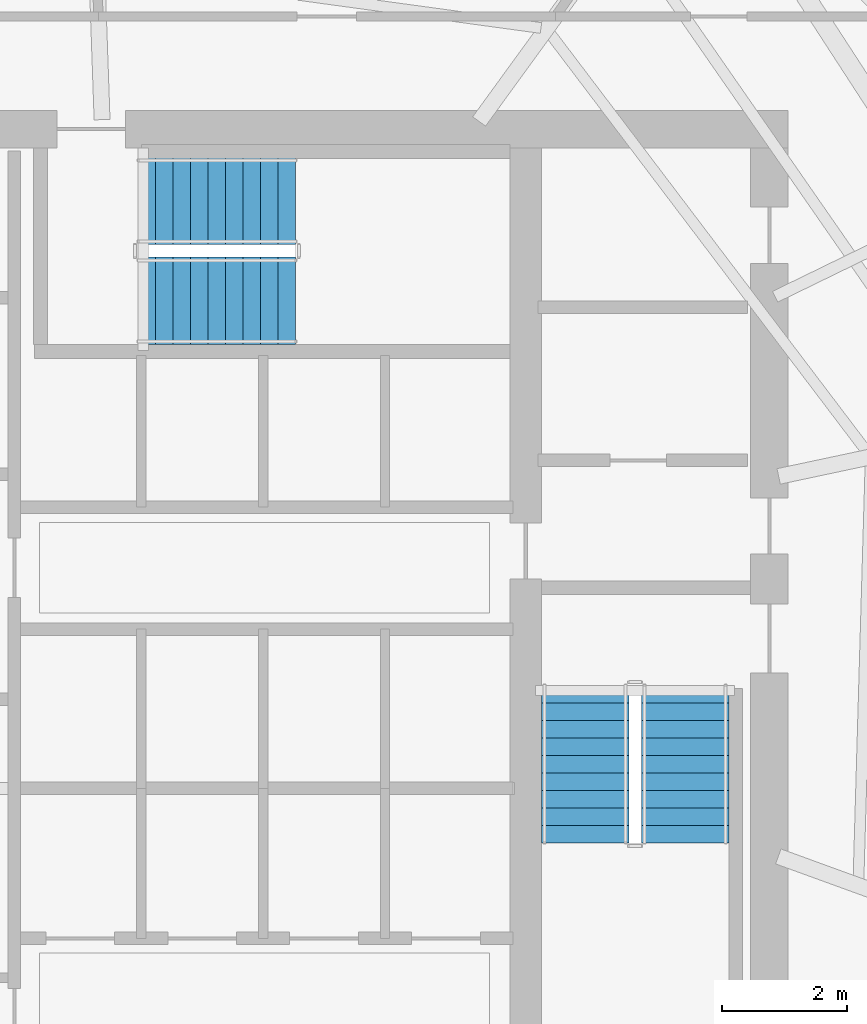
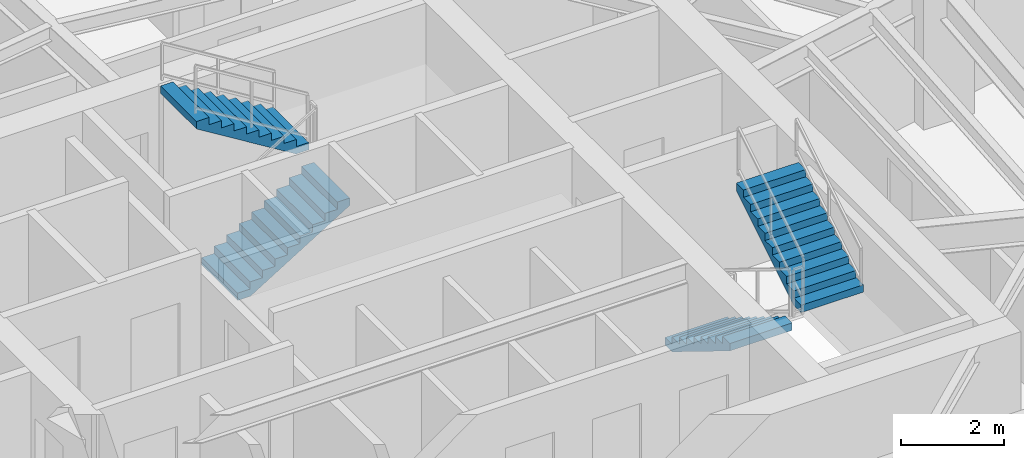
# One storey, part 27 of 30: 4 stair flights, 2 elements without a shape of their own.
"""IFC4 building model written with IfcOpenShell, lengths in metres."""

from ifc_helpers import new_model, si_unit, direction, frame, origin, place, context, subcontext, project, spatial, polyline, outline, extrude, material, type_object, element, aggregate, save


model = new_model("IFC4")

# Units and contexts
model_context = context("Model", 3, precision=1e-05, world=origin(), true_north=direction((0.0, 1.0)))
body_context = subcontext(model_context, "Body", "Model", "MODEL_VIEW")
ifc_project = project(units=[si_unit("LENGTHUNIT", "METRE"), si_unit("AREAUNIT", "SQUARE_METRE"), si_unit("VOLUMEUNIT", "CUBIC_METRE"), si_unit("PLANEANGLEUNIT", "RADIAN"), si_unit("MASSUNIT", "GRAM", prefix="KILO")], contexts=[model_context])

# Site, building, storey
site_placement = place(None, origin())
site = spatial("IfcSite", under=ifc_project, at=site_placement, CompositionType="ELEMENT")
building_placement = place(site_placement, origin())
building = spatial("IfcBuilding", under=site, at=building_placement, Name="Qarnah Convention Tower", CompositionType="ELEMENT")
storey_placement = place(building_placement, frame((0.0, 0.0, 86.699951171875)))
storey = spatial("IfcBuildingStorey", under=building, at=storey_placement, Name="L22", CompositionType="ELEMENT", Elevation=86.699951171875)

# Stair, stair flights
ifc_material = material(Name="Concrete C50/60", Category="concrete")
stair_type = type_object("IfcStairType", Name="STR-HTL", PredefinedType="HALF_TURN_STAIR", material=ifc_material)
stair_1_placement = place(storey_placement, origin())
stair_1 = element("IfcStair", 1, at=stair_1_placement, inside=storey, type_object=stair_type, Name="L22 Core exit stair ST-2", PredefinedType="HALF_TURN_STAIR")
stair_flight_type = type_object("IfcStairFlightType", Name="FLT-HTL", PredefinedType="STRAIGHT", material=ifc_material)
stair_flight_1_placement = place(storey_placement, frame((44.64990234375, 25.300048828125, 0.0), z_axis=(0.0, 0.0, 1.0), x_axis=(0.0, -1.0, 0.0)))
stair_flight_1 = element("IfcStairFlight", 2, at=stair_flight_1_placement, type_object=stair_flight_type, Name="ST-2 flight 1", NumberOfRisers=10, NumberOfTreads=9, PredefinedType="STRAIGHT", RiserHeight=0.1725, TreadLength=0.28, context=body_context, shape_type="SweptSolid", body=[
    extrude(outline(polyline([(0.0, 0.0), (0.0, 0.172607421875), (0.280029296875, 0.172607421875), (0.280029296875, 0.344970703125), (0.56005859375, 0.344970703125), (0.56005859375, 0.517578125), (0.840087890625, 0.517578125), (0.840087890625, 0.68994140625), (1.1201171875, 0.68994140625), (1.1201171875, 0.862548828125), (1.39990234375, 0.862548828125), (1.39990234375, 1.034912109375), (1.679931640625, 1.034912109375), (1.679931640625, 1.20751953125), (1.9599609375, 1.20751953125), (1.9599609375, 1.3798828125), (2.239990234375, 1.3798828125), (2.239990234375, 1.552490234375), (2.52001953125, 1.552490234375), (2.52001953125, 1.72509765625), (2.52001953125, 1.37646484375), (0.285888671875, 0.0), (0.0, 0.0)])), frame((0.0, 0.699951171875, 0.0), z_axis=(0.0, -1.0, 0.0), x_axis=(1.0, 0.0, 0.0)), (0.0, 0.0, 1.0), 1.39990234375),
])
stair_flight_2_placement = place(storey_placement, frame((46.25, 22.780029296875, 1.72509765625), z_axis=(0.0, 0.0, 1.0), x_axis=(0.0, 1.0, 0.0)))
stair_flight_2 = element("IfcStairFlight", 3, at=stair_flight_2_placement, type_object=stair_flight_type, Name="ST-2 flight 2", NumberOfRisers=10, NumberOfTreads=9, PredefinedType="STRAIGHT", RiserHeight=0.1725, TreadLength=0.28, context=body_context, shape_type="SweptSolid", body=[
    extrude(outline(polyline([(0.0, 0.0), (0.0, 0.172607421875), (0.280029296875, 0.172607421875), (0.280029296875, 0.344970703125), (0.56005859375, 0.344970703125), (0.56005859375, 0.517578125), (0.840087890625, 0.517578125), (0.840087890625, 0.68994140625), (1.1201171875, 0.68994140625), (1.1201171875, 0.862548828125), (1.39990234375, 0.862548828125), (1.39990234375, 1.034912109375), (1.679931640625, 1.034912109375), (1.679931640625, 1.20751953125), (1.9599609375, 1.20751953125), (1.9599609375, 1.3798828125), (2.239990234375, 1.3798828125), (2.239990234375, 1.552490234375), (2.52001953125, 1.552490234375), (2.52001953125, 1.72509765625), (2.52001953125, 1.37646484375), (0.285888671875, 0.0), (0.0, 0.0)])), frame((0.0, 0.699951171875, 0.0), z_axis=(0.0, -1.0, 0.0), x_axis=(1.0, 0.0, 0.0)), (0.0, 0.0, 1.0), 1.39990234375),
])
aggregate(stair_1, [stair_flight_1, stair_flight_2])

stair_2_placement = place(storey_placement, origin())
stair_2 = element("IfcStair", 4, at=stair_2_placement, inside=storey, type_object=stair_type, Name="L22 Core exit stair ST-3", PredefinedType="HALF_TURN_STAIR")
stair_flight_3_placement = place(storey_placement, frame((37.5, 31.449951171875, 0.0), z_axis=(0.0, 0.0, 1.0), x_axis=(1.0, 0.0, 0.0)))
stair_flight_3 = element("IfcStairFlight", 5, at=stair_flight_3_placement, type_object=stair_flight_type, Name="ST-3 flight 1", NumberOfRisers=10, NumberOfTreads=9, PredefinedType="STRAIGHT", RiserHeight=0.1725, TreadLength=0.28, context=body_context, shape_type="SweptSolid", body=[
    extrude(outline(polyline([(0.0, 0.0), (0.0, 0.172607421875), (0.280029296875, 0.172607421875), (0.280029296875, 0.344970703125), (0.56005859375, 0.344970703125), (0.56005859375, 0.517578125), (0.840087890625, 0.517578125), (0.840087890625, 0.68994140625), (1.1201171875, 0.68994140625), (1.1201171875, 0.862548828125), (1.39990234375, 0.862548828125), (1.39990234375, 1.034912109375), (1.679931640625, 1.034912109375), (1.679931640625, 1.20751953125), (1.9599609375, 1.20751953125), (1.9599609375, 1.3798828125), (2.239990234375, 1.3798828125), (2.239990234375, 1.552490234375), (2.52001953125, 1.552490234375), (2.52001953125, 1.72509765625), (2.52001953125, 1.37646484375), (0.285888671875, 0.0), (0.0, 0.0)])), frame((0.0, 0.699951171875, 0.0), z_axis=(0.0, -1.0, 0.0), x_axis=(1.0, 0.0, 0.0)), (0.0, 0.0, 1.0), 1.39990234375),
])
stair_flight_4_placement = place(storey_placement, frame((40.02001953125, 33.050048828125, 1.72509765625), z_axis=(0.0, 0.0, 1.0), x_axis=(-1.0, 0.0, 0.0)))
stair_flight_4 = element("IfcStairFlight", 6, at=stair_flight_4_placement, type_object=stair_flight_type, Name="ST-3 flight 2", NumberOfRisers=10, NumberOfTreads=9, PredefinedType="STRAIGHT", RiserHeight=0.1725, TreadLength=0.28, context=body_context, shape_type="SweptSolid", body=[
    extrude(outline(polyline([(0.0, 0.0), (0.0, 0.172607421875), (0.280029296875, 0.172607421875), (0.280029296875, 0.344970703125), (0.56005859375, 0.344970703125), (0.56005859375, 0.517578125), (0.840087890625, 0.517578125), (0.840087890625, 0.68994140625), (1.1201171875, 0.68994140625), (1.1201171875, 0.862548828125), (1.39990234375, 0.862548828125), (1.39990234375, 1.034912109375), (1.679931640625, 1.034912109375), (1.679931640625, 1.20751953125), (1.9599609375, 1.20751953125), (1.9599609375, 1.3798828125), (2.239990234375, 1.3798828125), (2.239990234375, 1.552490234375), (2.52001953125, 1.552490234375), (2.52001953125, 1.72509765625), (2.52001953125, 1.37646484375), (0.285888671875, 0.0), (0.0, 0.0)])), frame((0.0, 0.699951171875, 0.0), z_axis=(0.0, -1.0, 0.0), x_axis=(1.0, 0.0, 0.0)), (0.0, 0.0, 1.0), 1.39990234375),
])
aggregate(stair_2, [stair_flight_3, stair_flight_4])

save(model, "model.ifc")
